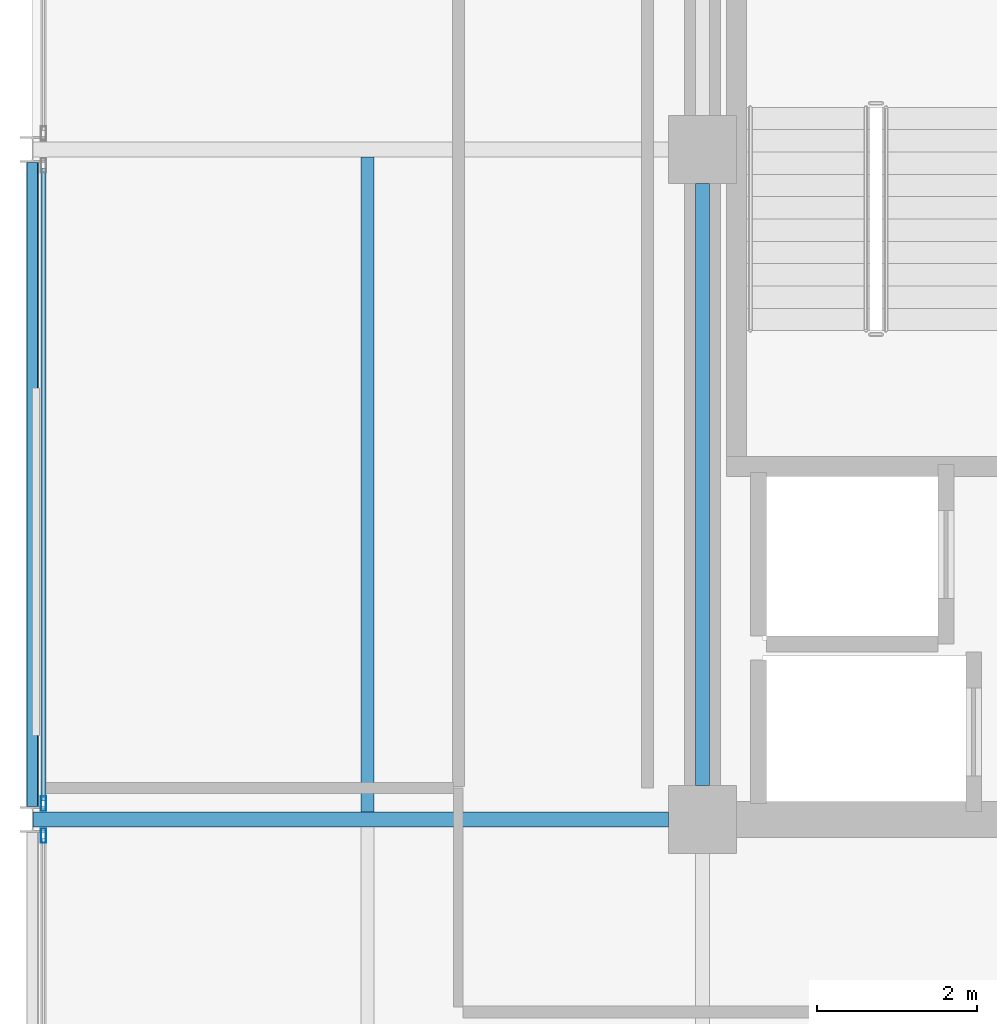
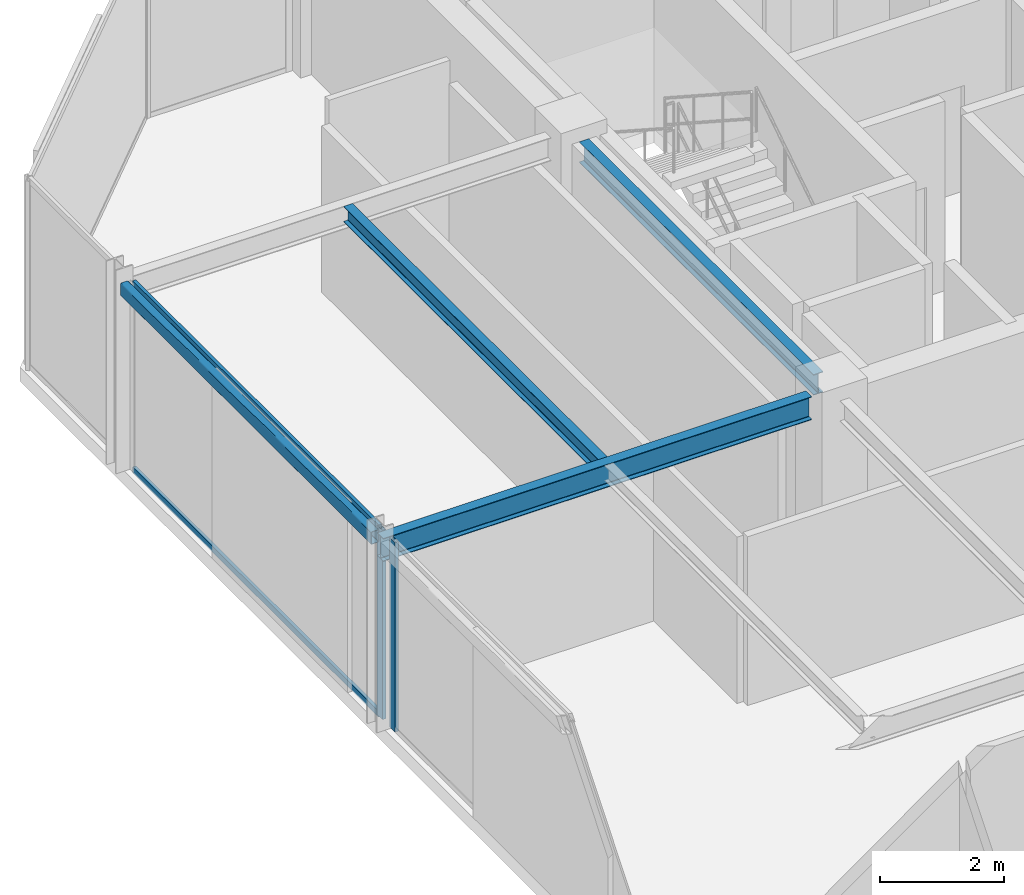
# One storey, part 11 of 26: 4 beams, 4 members, 2 elements without a shape of their own.
"""IFC4 building model written with IfcOpenShell, lengths in metres."""

from ifc_helpers import new_model, si_unit, direction, frame, origin, origin_2d, place, context, subcontext, project, spatial, hollow_rectangle, i_section, extrude, material, layer, layer_set, material_profile, profile_set, type_object, element, aggregate, save


model = new_model("IFC4")

# Units and contexts
model_context = context("Model", 3, precision=1e-05, world=origin(), true_north=direction((0.0, 1.0)))
body_context = subcontext(model_context, "Body", "Model", "MODEL_VIEW")
ifc_project = project(units=[si_unit("LENGTHUNIT", "METRE"), si_unit("AREAUNIT", "SQUARE_METRE"), si_unit("VOLUMEUNIT", "CUBIC_METRE"), si_unit("PLANEANGLEUNIT", "RADIAN"), si_unit("MASSUNIT", "GRAM", prefix="KILO")], contexts=[model_context])

# Site, building, storey
site_placement = place(None, origin())
site = spatial("IfcSite", under=ifc_project, at=site_placement, CompositionType="ELEMENT")
building_placement = place(site_placement, origin())
building = spatial("IfcBuilding", under=site, at=building_placement, Name="Nerrivon Quay Data Exchange", CompositionType="ELEMENT")
storey_placement = place(building_placement, frame((0.0, 0.0, 262.199951171875)))
storey = spatial("IfcBuildingStorey", under=building, at=storey_placement, Name="L62", CompositionType="ELEMENT", Elevation=262.199951171875)

# Beams
ifc_material_1 = material(Name="Steel Grade 350", Category="steel")
ifc_material_profile_1 = material_profile(ifc_material_1, i_section(OverallWidth=0.18994140625, OverallDepth=0.4541015625, WebThickness=0.008544921875, FlangeThickness=0.0126953125, FilletRadius=0.011474609375, at=origin_2d()), Name="460UB67.1")
ifc_profile_set_1 = profile_set([ifc_material_profile_1], Name="Steel Grade 350")
beam_type_1 = type_object("IfcBeamType", Name="BM-G6-460UB67", PredefinedType="BEAM", material=ifc_profile_set_1)
beam_1_placement = place(storey_placement, frame((0.0078125, 25.199951171875, 3.498046875), z_axis=(1.0, 0.0, 0.0), x_axis=(0.0, 1.0, 0.0)))
element("IfcBeam", 1, at=beam_1_placement, inside=storey, type_object=beam_type_1, Name="L62 EW Girder Y=25.2 (0.0..8.4)", PredefinedType="BEAM", context=body_context, shape_type="SweptSolid", body=[
    extrude(i_section(OverallWidth=0.18994140625, OverallDepth=0.4541015625, WebThickness=0.008544921875, FlangeThickness=0.0126953125, FilletRadius=0.011474609375, at=origin_2d()), origin(), (0.0, 0.0, 1.0), 7.96728515625),
])
ifc_material_profile_2 = material_profile(ifc_material_1, i_section(OverallWidth=0.177978515625, OverallDepth=0.406005859375, WebThickness=0.0078125, FlangeThickness=0.0126953125, FilletRadius=0.011474609375, at=origin_2d()), Name="410UB59.7")
ifc_profile_set_2 = profile_set([ifc_material_profile_2], Name="Steel Grade 350")
beam_type_2 = type_object("IfcBeamType", Name="BM-J1-410UB60", PredefinedType="JOIST", material=ifc_profile_set_2)
beam_2_placement = place(storey_placement, frame((8.39990234375, 25.625, 3.52197265625), z_axis=(0.0, 1.0, 0.0), x_axis=(-1.0, 0.0, 0.0)))
element("IfcBeam", 2, at=beam_2_placement, inside=storey, type_object=beam_type_2, Name="L62 NS Girder X=8.4 (25.2..33.6)", PredefinedType="JOIST", context=body_context, shape_type="SweptSolid", body=[
    extrude(i_section(OverallWidth=0.177978515625, OverallDepth=0.406005859375, WebThickness=0.0078125, FlangeThickness=0.0126953125, FilletRadius=0.011474609375, at=origin_2d()), origin(), (0.0, 0.0, 1.0), 7.550048828125),
])
ifc_material_profile_3 = material_profile(ifc_material_1, i_section(OverallWidth=0.1650390625, OverallDepth=0.303955078125, WebThickness=0.006103515625, FlangeThickness=0.01025390625, FilletRadius=0.011474609375, at=origin_2d()), Name="310UB40.4")
ifc_profile_set_3 = profile_set([ifc_material_profile_3], Name="Steel Grade 350")
beam_type_3 = type_object("IfcBeamType", Name="BM-J6-310UB40", PredefinedType="JOIST", material=ifc_profile_set_3)
beam_3_placement = place(storey_placement, frame((4.199951171875, 25.294921875, 3.572998046875), z_axis=(0.0, 1.0, 0.0), x_axis=(-1.0, 0.0, 0.0)))
element("IfcBeam", 3, at=beam_3_placement, inside=storey, type_object=beam_type_3, Name="L62 Secondary Joist X=4.2 (25.2..33.6)", PredefinedType="JOIST", context=body_context, shape_type="SweptSolid", body=[
    extrude(i_section(OverallWidth=0.1650390625, OverallDepth=0.303955078125, WebThickness=0.006103515625, FlangeThickness=0.01025390625, FilletRadius=0.011474609375, at=origin_2d()), origin(), (0.0, 0.0, 1.0), 8.2099609375),
])
ifc_material_2 = material(Name="Steel Grade C350L0 (350 MPa)", Category="steel")
ifc_material_profile_4 = material_profile(ifc_material_2, hollow_rectangle(XDim=0.14990234375, YDim=0.25, WallThickness=0.009033203125, InnerFilletRadius=0.013427734375, OuterFilletRadius=0.0224609375, at=origin_2d()), Name="250x150x9.0RHS")
ifc_profile_set_4 = profile_set([ifc_material_profile_4], Name="Steel Grade C350L0 (350 MPa)")
beam_type_4 = type_object("IfcBeamType", Name="BM-SP4-250x150RHS", PredefinedType="SPANDREL", material=ifc_profile_set_4)
beam_4_placement = place(storey_placement, frame((0.0, 25.363525390625, 3.60009765625), z_axis=(0.0, 1.0, 0.0), x_axis=(-1.0, 0.0, 0.0)))
element("IfcBeam", 4, at=beam_4_placement, inside=storey, type_object=beam_type_4, Name="L62 NS Girder X=0.0 (25.2..33.6)", PredefinedType="SPANDREL", context=body_context, shape_type="SweptSolid", body=[
    extrude(hollow_rectangle(XDim=0.14990234375, YDim=0.25, WallThickness=0.009033203125, InnerFilletRadius=0.013427734375, OuterFilletRadius=0.0224609375, at=origin_2d()), origin(), (0.0, 0.0, 1.0), 8.072998046875),
])

# Curtain wall, member
ifc_material_3 = material(Name="Anodised aluminium 6063-T6", Category="aluminium")
ifc_layer = layer(ifc_material_3, 0.195068359375)
ifc_layer_set = layer_set([ifc_layer], Name="Anodised aluminium 6063-T6")
curtain_wall_type = type_object("IfcCurtainWallType", Name="CW-SYS-06", PredefinedType="NOTDEFINED", material=ifc_layer_set)
curtain_wall_1_placement = place(storey_placement, origin())
curtain_wall_1 = element("IfcCurtainWall", 5, at=curtain_wall_1_placement, inside=storey, type_object=curtain_wall_type, Name="L62 Unitised Curtain Wall 13", PredefinedType="NOTDEFINED")
ifc_material_profile_5 = material_profile(ifc_material_3, hollow_rectangle(XDim=0.06494140625, YDim=0.179931640625, WallThickness=0.00341796875, at=origin_2d()), Name="ALU-MULL-180x65")
ifc_profile_set_5 = profile_set([ifc_material_profile_5], Name="Anodised aluminium 6063-T6")
member_type_1 = type_object("IfcMemberType", Name="CWM-180x65", PredefinedType="MULLION", material=ifc_profile_set_5)
member_1_placement = place(storey_placement, frame((0.139892578125, 24.9990234375, 0.0), z_axis=(0.0, 0.0, 1.0), x_axis=(-1.0, 0.0, 0.0)))
member_1 = element("IfcMember", 6, at=member_1_placement, type_object=member_type_1, Name="CW06 mullion 2", PredefinedType="MULLION", context=body_context, shape_type="SweptSolid", body=[
    extrude(hollow_rectangle(XDim=0.06494140625, YDim=0.179931640625, WallThickness=0.00341796875, at=origin_2d()), origin(), (0.0, 0.0, 1.0), 3.72509765625),
])
aggregate(curtain_wall_1, [member_1])

# Curtain wall, members
curtain_wall_2_placement = place(storey_placement, origin())
curtain_wall_2 = element("IfcCurtainWall", 7, at=curtain_wall_2_placement, inside=storey, type_object=curtain_wall_type, Name="L62 Unitised Curtain Wall 14", PredefinedType="NOTDEFINED")
member_2_placement = place(storey_placement, frame((0.139892578125, 25.40087890625, 0.0), z_axis=(0.0, 0.0, 1.0), x_axis=(-1.0, 0.0, 0.0)))
member_2 = element("IfcMember", 8, at=member_2_placement, type_object=member_type_1, Name="CW06 mullion 1", PredefinedType="MULLION", context=body_context, shape_type="SweptSolid", body=[
    extrude(hollow_rectangle(XDim=0.06494140625, YDim=0.179931640625, WallThickness=0.00341796875, at=origin_2d()), origin(), (0.0, 0.0, 1.0), 3.72509765625),
])
ifc_material_profile_6 = material_profile(ifc_material_3, hollow_rectangle(XDim=0.06005859375, YDim=0.1201171875, WallThickness=0.003173828125, at=origin_2d()), Name="ALU-TRAN-120x60")
ifc_profile_set_6 = profile_set([ifc_material_profile_6], Name="Anodised aluminium 6063-T6")
member_type_2 = type_object("IfcMemberType", Name="CWT-120x60", PredefinedType="USERDEFINED", material=ifc_profile_set_6)
member_3_placement = place(storey_placement, frame((0.139892578125, 25.4384765625, 0.032470703125), z_axis=(0.0, 1.0, 0.0), x_axis=(-1.0, 0.0, 0.0)))
member_3 = element("IfcMember", 9, at=member_3_placement, type_object=member_type_2, Name="CW06 transom 1.1", ObjectType="TRANSOM", PredefinedType="USERDEFINED", context=body_context, shape_type="SweptSolid", body=[
    extrude(hollow_rectangle(XDim=0.06005859375, YDim=0.1201171875, WallThickness=0.003173828125, at=origin_2d()), origin(), (0.0, 0.0, 1.0), 7.923095703125),
])
member_4_placement = place(storey_placement, frame((0.139892578125, 25.4384765625, 3.692626953125), z_axis=(0.0, 1.0, 0.0), x_axis=(-1.0, 0.0, 0.0)))
member_4 = element("IfcMember", 10, at=member_4_placement, type_object=member_type_2, Name="CW06 transom 1.2", ObjectType="TRANSOM", PredefinedType="USERDEFINED", context=body_context, shape_type="SweptSolid", body=[
    extrude(hollow_rectangle(XDim=0.06005859375, YDim=0.1201171875, WallThickness=0.003173828125, at=origin_2d()), origin(), (0.0, 0.0, 1.0), 7.923095703125),
])
aggregate(curtain_wall_2, [member_2, member_3, member_4])

save(model, "model.ifc")
